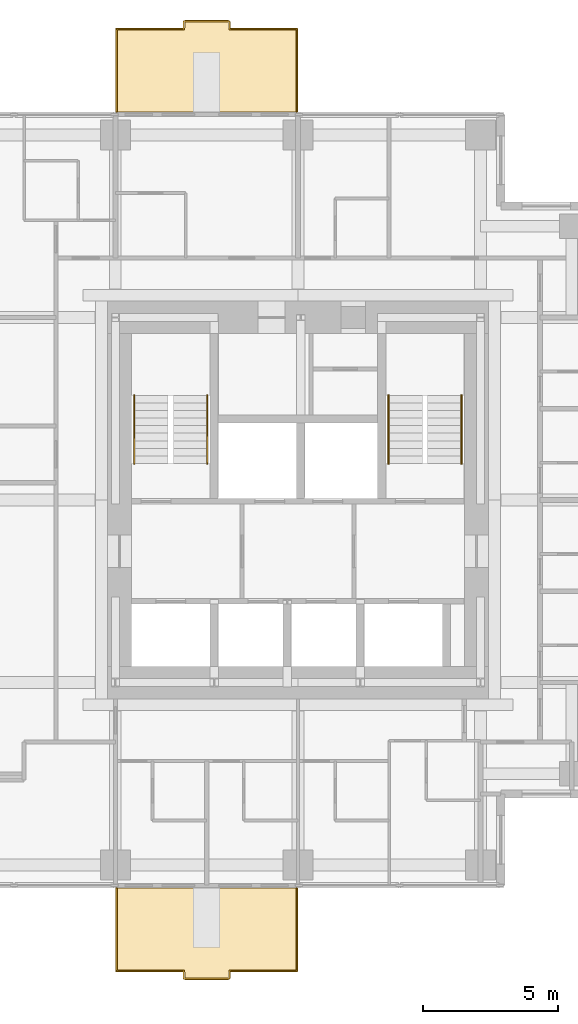
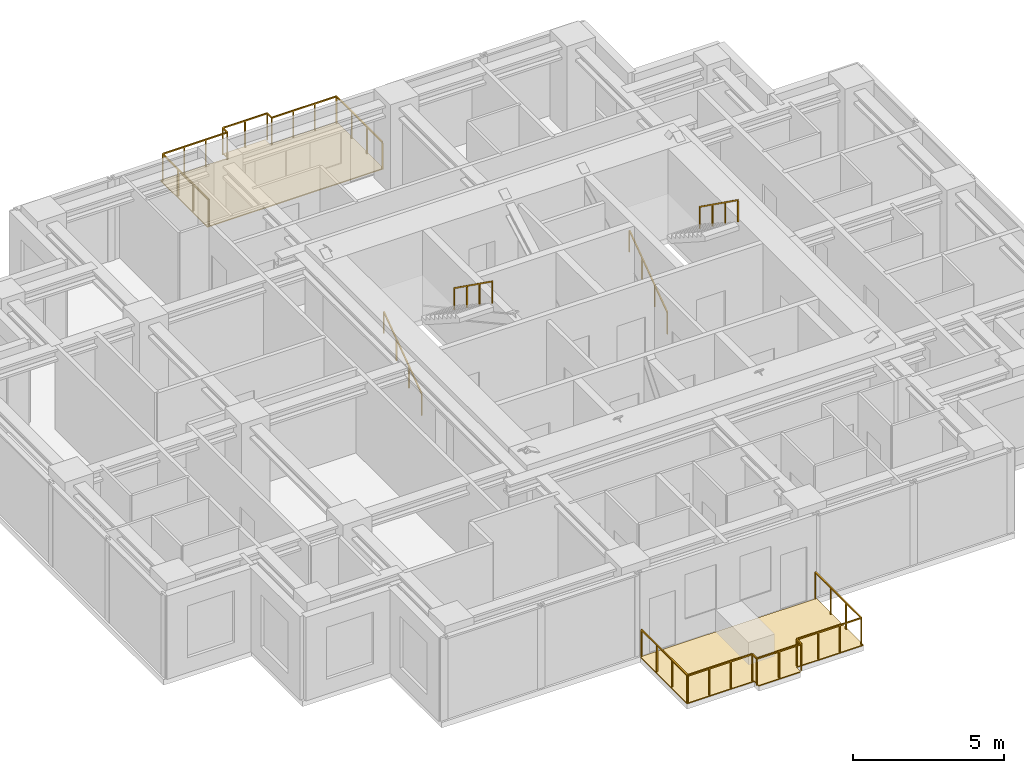
# One storey, part 8 of 8: 6 railings, 2 coverings.
"""IFC4 building model written with IfcOpenShell, lengths in metres."""

from ifc_helpers import new_model, si_unit, direction, frame, origin, origin_2d, place, context, subcontext, project, spatial, polyline, rectangle, outline, extrude, material, layer, layer_set, type_object, element, save


model = new_model("IFC4")

# Units and contexts
model_context = context("Model", 3, precision=1e-05, world=origin(), true_north=direction((0.0, 1.0)))
body_context = subcontext(model_context, "Body", "Model", "MODEL_VIEW")
ifc_project = project(units=[si_unit("LENGTHUNIT", "METRE"), si_unit("AREAUNIT", "SQUARE_METRE"), si_unit("VOLUMEUNIT", "CUBIC_METRE"), si_unit("PLANEANGLEUNIT", "RADIAN"), si_unit("MASSUNIT", "GRAM", prefix="KILO")], contexts=[model_context])

# Site, building, storey
site_placement = place(None, origin())
site = spatial("IfcSite", under=ifc_project, at=site_placement, CompositionType="ELEMENT")
building_placement = place(site_placement, origin())
building = spatial("IfcBuilding", under=site, at=building_placement, Name="Nyansa Garden Tower", CompositionType="ELEMENT")
storey_placement = place(building_placement, frame((0.0, 0.0, 225.89990234375)))
storey = spatial("IfcBuildingStorey", under=building, at=storey_placement, Name="L61", CompositionType="ELEMENT", Elevation=225.89990234375)

# Coverings
ifc_material_1 = material(Name="Hardwood decking on pedestals", Category="wood")
ifc_layer = layer(ifc_material_1, 0.0400390625)
ifc_layer_set = layer_set([ifc_layer], Name="Balcony decking DK40")
covering_type = type_object("IfcCoveringType", Name="Balcony decking DK40", PredefinedType="FLOORING", material=ifc_layer_set)
covering_1_placement = place(storey_placement, frame((0.0, 0.0, -0.039794921875)))
element("IfcCovering", 1, at=covering_1_placement, inside=storey, type_object=covering_type, Name="Balcony decking L61", PredefinedType="FLOORING", context=body_context, shape_type="SweptSolid", body=[
    extrude(outline(polyline([(13.5, 5.89990234375), (20.25, 5.89990234375), (20.25, 2.800048828125), (17.675048828125, 2.800048828125), (17.675048828125, 2.5), (16.074951171875, 2.5), (16.074951171875, 2.800048828125), (13.5, 2.800048828125), (13.5, 5.89990234375)])), origin(), (0.0, 0.0, 1.0), 0.039794921875),
])
covering_2_placement = place(storey_placement, frame((0.0, 0.0, -0.039794921875)))
element("IfcCovering", 2, at=covering_2_placement, inside=storey, type_object=covering_type, Name="Balcony decking L61", PredefinedType="FLOORING", context=body_context, shape_type="SweptSolid", body=[
    extrude(outline(polyline([(13.5, 34.60009765625), (20.25, 34.60009765625), (20.25, 37.699951171875), (17.675048828125, 37.699951171875), (17.675048828125, 38.0), (16.074951171875, 38.0), (16.074951171875, 37.699951171875), (13.5, 37.699951171875), (13.5, 34.60009765625)])), origin(), (0.0, 0.0, 1.0), 0.039794921875),
])

# Railings
ifc_material_2 = material(Name="Black powder-coated steel balusters, laminated glass infill", Category="steel")
railing_type_1 = type_object("IfcRailingType", Name="Balcony guard G1", PredefinedType="GUARDRAIL", material=ifc_material_2)
railing_1_placement = place(storey_placement, frame((13.550048828125, 5.89990234375, 0.0)))
element("IfcRailing", 3, at=railing_1_placement, inside=storey, type_object=railing_type_1, Name="Balcony guard L61", PredefinedType="GUARDRAIL", context=body_context, shape_type="SweptSolid", body=[
    extrude(rectangle(XDim=0.048095703125, YDim=0.048095703125, at=origin_2d()), frame((0.0, 0.0, 1.076171875), z_axis=(0.0, -1.0, 0.0), x_axis=(1.0, 0.0, 0.0)), (0.0, 0.0, 1.0), 3.0498046875),
    extrude(rectangle(XDim=0.048095703125, YDim=0.048095703125, at=origin_2d()), frame((0.0, -3.0498046875, 1.076171875), z_axis=(1.0, 0.0, 0.0), x_axis=(0.0, 1.0, 0.0)), (0.0, 0.0, 1.0), 2.474853515625),
    extrude(rectangle(XDim=0.048095703125, YDim=0.048095703125, at=origin_2d()), frame((2.474853515625, -3.0498046875, 1.076171875), z_axis=(0.0, -1.0, 0.0), x_axis=(1.0, 0.0, 0.0)), (0.0, 0.0, 1.0), 0.300048828125),
    extrude(rectangle(XDim=0.048095703125, YDim=0.048095703125, at=origin_2d()), frame((2.474853515625, -3.349853515625, 1.076171875), z_axis=(1.0, 0.0, 0.0), x_axis=(0.0, 1.0, 0.0)), (0.0, 0.0, 1.0), 1.7001953125),
    extrude(rectangle(XDim=0.048095703125, YDim=0.048095703125, at=origin_2d()), frame((4.175048828125, -3.349853515625, 1.076171875), z_axis=(0.0, 1.0, 0.0), x_axis=(-1.0, 0.0, 0.0)), (0.0, 0.0, 1.0), 0.300048828125),
    extrude(rectangle(XDim=0.048095703125, YDim=0.048095703125, at=origin_2d()), frame((4.175048828125, -3.0498046875, 1.076171875), z_axis=(1.0, 0.0, 0.0), x_axis=(0.0, 1.0, 0.0)), (0.0, 0.0, 1.0), 2.474853515625),
    extrude(rectangle(XDim=0.048095703125, YDim=0.048095703125, at=origin_2d()), frame((6.64990234375, -3.0498046875, 1.076171875), z_axis=(0.0, 1.0, 0.0), x_axis=(-1.0, 0.0, 0.0)), (0.0, 0.0, 1.0), 3.0498046875),
    extrude(rectangle(XDim=0.0419921875, YDim=0.0419921875, at=origin_2d()), origin(), (0.0, 0.0, 1.0), 1.052001953125),
    extrude(rectangle(XDim=0.0419921875, YDim=0.0419921875, at=origin_2d()), frame((0.0, -1.0166015625, 0.0)), (0.0, 0.0, 1.0), 1.052001953125),
    extrude(rectangle(XDim=0.0419921875, YDim=0.0419921875, at=origin_2d()), frame((0.0, -2.033203125, 0.0)), (0.0, 0.0, 1.0), 1.052001953125),
    extrude(rectangle(XDim=0.0419921875, YDim=0.0419921875, at=origin_2d()), frame((0.0, -3.0498046875, 0.0)), (0.0, 0.0, 1.0), 1.052001953125),
    extrude(rectangle(XDim=0.0419921875, YDim=0.0419921875, at=origin_2d()), frame((0.824951171875, -3.0498046875, 0.0)), (0.0, 0.0, 1.0), 1.052001953125),
    extrude(rectangle(XDim=0.0419921875, YDim=0.0419921875, at=origin_2d()), frame((1.64990234375, -3.0498046875, 0.0)), (0.0, 0.0, 1.0), 1.052001953125),
    extrude(rectangle(XDim=0.0419921875, YDim=0.0419921875, at=origin_2d()), frame((2.474853515625, -3.0498046875, 0.0)), (0.0, 0.0, 1.0), 1.052001953125),
    extrude(rectangle(XDim=0.0419921875, YDim=0.0419921875, at=origin_2d()), frame((2.474853515625, -3.349853515625, 0.0)), (0.0, 0.0, 1.0), 1.052001953125),
    extrude(rectangle(XDim=0.0419921875, YDim=0.0419921875, at=origin_2d()), frame((3.324951171875, -3.349853515625, 0.0)), (0.0, 0.0, 1.0), 1.052001953125),
    extrude(rectangle(XDim=0.0419921875, YDim=0.0419921875, at=origin_2d()), frame((4.175048828125, -3.349853515625, 0.0)), (0.0, 0.0, 1.0), 1.052001953125),
    extrude(rectangle(XDim=0.0419921875, YDim=0.0419921875, at=origin_2d()), frame((4.175048828125, -3.0498046875, 0.0)), (0.0, 0.0, 1.0), 1.052001953125),
    extrude(rectangle(XDim=0.0419921875, YDim=0.0419921875, at=origin_2d()), frame((5.0, -3.0498046875, 0.0)), (0.0, 0.0, 1.0), 1.052001953125),
    extrude(rectangle(XDim=0.0419921875, YDim=0.0419921875, at=origin_2d()), frame((5.824951171875, -3.0498046875, 0.0)), (0.0, 0.0, 1.0), 1.052001953125),
    extrude(rectangle(XDim=0.0419921875, YDim=0.0419921875, at=origin_2d()), frame((6.64990234375, -3.0498046875, 0.0)), (0.0, 0.0, 1.0), 1.052001953125),
    extrude(rectangle(XDim=0.0419921875, YDim=0.0419921875, at=origin_2d()), frame((6.64990234375, -2.033203125, 0.0)), (0.0, 0.0, 1.0), 1.052001953125),
    extrude(rectangle(XDim=0.0419921875, YDim=0.0419921875, at=origin_2d()), frame((6.64990234375, -1.0166015625, 0.0)), (0.0, 0.0, 1.0), 1.052001953125),
    extrude(rectangle(XDim=0.0419921875, YDim=0.0419921875, at=origin_2d()), frame((6.64990234375, 0.0, 0.0)), (0.0, 0.0, 1.0), 1.052001953125),
])
railing_2_placement = place(storey_placement, frame((13.550048828125, 34.60009765625, 0.0)))
element("IfcRailing", 4, at=railing_2_placement, inside=storey, type_object=railing_type_1, Name="Balcony guard L61", PredefinedType="GUARDRAIL", context=body_context, shape_type="SweptSolid", body=[
    extrude(rectangle(XDim=0.048095703125, YDim=0.048095703125, at=origin_2d()), frame((0.0, 0.0, 1.076171875), z_axis=(0.0, 1.0, 0.0), x_axis=(-1.0, 0.0, 0.0)), (0.0, 0.0, 1.0), 3.0498046875),
    extrude(rectangle(XDim=0.048095703125, YDim=0.048095703125, at=origin_2d()), frame((0.0, 3.0498046875, 1.076171875), z_axis=(1.0, 0.0, 0.0), x_axis=(0.0, 1.0, 0.0)), (0.0, 0.0, 1.0), 2.474853515625),
    extrude(rectangle(XDim=0.048095703125, YDim=0.048095703125, at=origin_2d()), frame((2.474853515625, 3.0498046875, 1.076171875), z_axis=(0.0, 1.0, 0.0), x_axis=(-1.0, 0.0, 0.0)), (0.0, 0.0, 1.0), 0.300048828125),
    extrude(rectangle(XDim=0.048095703125, YDim=0.048095703125, at=origin_2d()), frame((2.474853515625, 3.349853515625, 1.076171875), z_axis=(1.0, 0.0, 0.0), x_axis=(0.0, 1.0, 0.0)), (0.0, 0.0, 1.0), 1.7001953125),
    extrude(rectangle(XDim=0.048095703125, YDim=0.048095703125, at=origin_2d()), frame((4.175048828125, 3.349853515625, 1.076171875), z_axis=(0.0, -1.0, 0.0), x_axis=(1.0, 0.0, 0.0)), (0.0, 0.0, 1.0), 0.300048828125),
    extrude(rectangle(XDim=0.048095703125, YDim=0.048095703125, at=origin_2d()), frame((4.175048828125, 3.0498046875, 1.076171875), z_axis=(1.0, 0.0, 0.0), x_axis=(0.0, 1.0, 0.0)), (0.0, 0.0, 1.0), 2.474853515625),
    extrude(rectangle(XDim=0.048095703125, YDim=0.048095703125, at=origin_2d()), frame((6.64990234375, 3.0498046875, 1.076171875), z_axis=(0.0, -1.0, 0.0), x_axis=(1.0, 0.0, 0.0)), (0.0, 0.0, 1.0), 3.0498046875),
    extrude(rectangle(XDim=0.0419921875, YDim=0.0419921875, at=origin_2d()), origin(), (0.0, 0.0, 1.0), 1.052001953125),
    extrude(rectangle(XDim=0.0419921875, YDim=0.0419921875, at=origin_2d()), frame((0.0, 1.0166015625, 0.0)), (0.0, 0.0, 1.0), 1.052001953125),
    extrude(rectangle(XDim=0.0419921875, YDim=0.0419921875, at=origin_2d()), frame((0.0, 2.033203125, 0.0)), (0.0, 0.0, 1.0), 1.052001953125),
    extrude(rectangle(XDim=0.0419921875, YDim=0.0419921875, at=origin_2d()), frame((0.0, 3.0498046875, 0.0)), (0.0, 0.0, 1.0), 1.052001953125),
    extrude(rectangle(XDim=0.0419921875, YDim=0.0419921875, at=origin_2d()), frame((0.824951171875, 3.0498046875, 0.0)), (0.0, 0.0, 1.0), 1.052001953125),
    extrude(rectangle(XDim=0.0419921875, YDim=0.0419921875, at=origin_2d()), frame((1.64990234375, 3.0498046875, 0.0)), (0.0, 0.0, 1.0), 1.052001953125),
    extrude(rectangle(XDim=0.0419921875, YDim=0.0419921875, at=origin_2d()), frame((2.474853515625, 3.0498046875, 0.0)), (0.0, 0.0, 1.0), 1.052001953125),
    extrude(rectangle(XDim=0.0419921875, YDim=0.0419921875, at=origin_2d()), frame((2.474853515625, 3.349853515625, 0.0)), (0.0, 0.0, 1.0), 1.052001953125),
    extrude(rectangle(XDim=0.0419921875, YDim=0.0419921875, at=origin_2d()), frame((3.324951171875, 3.349853515625, 0.0)), (0.0, 0.0, 1.0), 1.052001953125),
    extrude(rectangle(XDim=0.0419921875, YDim=0.0419921875, at=origin_2d()), frame((4.175048828125, 3.349853515625, 0.0)), (0.0, 0.0, 1.0), 1.052001953125),
    extrude(rectangle(XDim=0.0419921875, YDim=0.0419921875, at=origin_2d()), frame((4.175048828125, 3.0498046875, 0.0)), (0.0, 0.0, 1.0), 1.052001953125),
    extrude(rectangle(XDim=0.0419921875, YDim=0.0419921875, at=origin_2d()), frame((5.0, 3.0498046875, 0.0)), (0.0, 0.0, 1.0), 1.052001953125),
    extrude(rectangle(XDim=0.0419921875, YDim=0.0419921875, at=origin_2d()), frame((5.824951171875, 3.0498046875, 0.0)), (0.0, 0.0, 1.0), 1.052001953125),
    extrude(rectangle(XDim=0.0419921875, YDim=0.0419921875, at=origin_2d()), frame((6.64990234375, 3.0498046875, 0.0)), (0.0, 0.0, 1.0), 1.052001953125),
    extrude(rectangle(XDim=0.0419921875, YDim=0.0419921875, at=origin_2d()), frame((6.64990234375, 2.033203125, 0.0)), (0.0, 0.0, 1.0), 1.052001953125),
    extrude(rectangle(XDim=0.0419921875, YDim=0.0419921875, at=origin_2d()), frame((6.64990234375, 1.0166015625, 0.0)), (0.0, 0.0, 1.0), 1.052001953125),
    extrude(rectangle(XDim=0.0419921875, YDim=0.0419921875, at=origin_2d()), frame((6.64990234375, 0.0, 0.0)), (0.0, 0.0, 1.0), 1.052001953125),
])
ifc_material_3 = material(Name="Black powder-coated steel tube 48 mm", Category="steel")
railing_type_2 = type_object("IfcRailingType", Name="Stair handrail HR1", PredefinedType="HANDRAIL", material=ifc_material_3)
railing_3_placement = place(storey_placement, frame((14.199951171875, 21.60009765625, 0.0)))
element("IfcRailing", 5, at=railing_3_placement, inside=storey, type_object=railing_type_2, Name="Stair S1 handrail L61", PredefinedType="HANDRAIL", context=body_context, shape_type="SweptSolid", body=[
    extrude(rectangle(XDim=0.048095703125, YDim=0.048095703125, at=origin_2d()), frame((0.0, 0.0, 0.8759765625), z_axis=(0.0, 0.813728144527, 0.581245650998), x_axis=(-1.0, 0.0, 0.0)), (0.0, 0.0, 1.0), 3.096923828125),
    extrude(rectangle(XDim=0.0419921875, YDim=0.0419921875, at=origin_2d()), origin(), (0.0, 0.0, 1.0), 0.851806640625),
    extrude(rectangle(XDim=0.0419921875, YDim=0.0419921875, at=origin_2d()), frame((0.0, 0.840087890625, 0.60009765625)), (0.0, 0.0, 1.0), 0.851806640625),
    extrude(rectangle(XDim=0.0419921875, YDim=0.0419921875, at=origin_2d()), frame((0.0, 1.679931640625, 1.199951171875)), (0.0, 0.0, 1.0), 0.851806640625),
    extrude(rectangle(XDim=0.0419921875, YDim=0.0419921875, at=origin_2d()), frame((0.0, 2.52001953125, 1.800048828125)), (0.0, 0.0, 1.0), 0.851806640625),
])
railing_4_placement = place(storey_placement, frame((16.89990234375, 24.1201171875, 1.800048828125)))
element("IfcRailing", 6, at=railing_4_placement, inside=storey, type_object=railing_type_2, Name="Stair S1 handrail L61", PredefinedType="HANDRAIL", context=body_context, shape_type="SweptSolid", body=[
    extrude(rectangle(XDim=0.048095703125, YDim=0.048095703125, at=origin_2d()), frame((0.0, 0.0, 0.8759765625), z_axis=(0.0, -0.813728144527, 0.581245650998), x_axis=(1.0, 0.0, 0.0)), (0.0, 0.0, 1.0), 3.096923828125),
    extrude(rectangle(XDim=0.0419921875, YDim=0.0419921875, at=origin_2d()), origin(), (0.0, 0.0, 1.0), 0.851806640625),
    extrude(rectangle(XDim=0.0419921875, YDim=0.0419921875, at=origin_2d()), frame((0.0, -0.840087890625, 0.60009765625)), (0.0, 0.0, 1.0), 0.851806640625),
    extrude(rectangle(XDim=0.0419921875, YDim=0.0419921875, at=origin_2d()), frame((0.0, -1.679931640625, 1.199951171875)), (0.0, 0.0, 1.0), 0.851806640625),
    extrude(rectangle(XDim=0.0419921875, YDim=0.0419921875, at=origin_2d()), frame((0.0, -2.52001953125, 1.800048828125)), (0.0, 0.0, 1.0), 0.851806640625),
])
railing_5_placement = place(storey_placement, frame((23.60009765625, 21.60009765625, 0.0)))
element("IfcRailing", 7, at=railing_5_placement, inside=storey, type_object=railing_type_2, Name="Stair S2 handrail L61", PredefinedType="HANDRAIL", context=body_context, shape_type="SweptSolid", body=[
    extrude(rectangle(XDim=0.048095703125, YDim=0.048095703125, at=origin_2d()), frame((0.0, 0.0, 0.8759765625), z_axis=(0.0, 0.813728144527, 0.581245650998), x_axis=(-1.0, 0.0, 0.0)), (0.0, 0.0, 1.0), 3.096923828125),
    extrude(rectangle(XDim=0.0419921875, YDim=0.0419921875, at=origin_2d()), origin(), (0.0, 0.0, 1.0), 0.851806640625),
    extrude(rectangle(XDim=0.0419921875, YDim=0.0419921875, at=origin_2d()), frame((0.0, 0.840087890625, 0.60009765625)), (0.0, 0.0, 1.0), 0.851806640625),
    extrude(rectangle(XDim=0.0419921875, YDim=0.0419921875, at=origin_2d()), frame((0.0, 1.679931640625, 1.199951171875)), (0.0, 0.0, 1.0), 0.851806640625),
    extrude(rectangle(XDim=0.0419921875, YDim=0.0419921875, at=origin_2d()), frame((0.0, 2.52001953125, 1.800048828125)), (0.0, 0.0, 1.0), 0.851806640625),
])
railing_6_placement = place(storey_placement, frame((26.300048828125, 24.1201171875, 1.800048828125)))
element("IfcRailing", 8, at=railing_6_placement, inside=storey, type_object=railing_type_2, Name="Stair S2 handrail L61", PredefinedType="HANDRAIL", context=body_context, shape_type="SweptSolid", body=[
    extrude(rectangle(XDim=0.048095703125, YDim=0.048095703125, at=origin_2d()), frame((0.0, 0.0, 0.8759765625), z_axis=(0.0, -0.813728144527, 0.581245650998), x_axis=(1.0, 0.0, 0.0)), (0.0, 0.0, 1.0), 3.096923828125),
    extrude(rectangle(XDim=0.0419921875, YDim=0.0419921875, at=origin_2d()), origin(), (0.0, 0.0, 1.0), 0.851806640625),
    extrude(rectangle(XDim=0.0419921875, YDim=0.0419921875, at=origin_2d()), frame((0.0, -0.840087890625, 0.60009765625)), (0.0, 0.0, 1.0), 0.851806640625),
    extrude(rectangle(XDim=0.0419921875, YDim=0.0419921875, at=origin_2d()), frame((0.0, -1.679931640625, 1.199951171875)), (0.0, 0.0, 1.0), 0.851806640625),
    extrude(rectangle(XDim=0.0419921875, YDim=0.0419921875, at=origin_2d()), frame((0.0, -2.52001953125, 1.800048828125)), (0.0, 0.0, 1.0), 0.851806640625),
])

save(model, "model.ifc")
